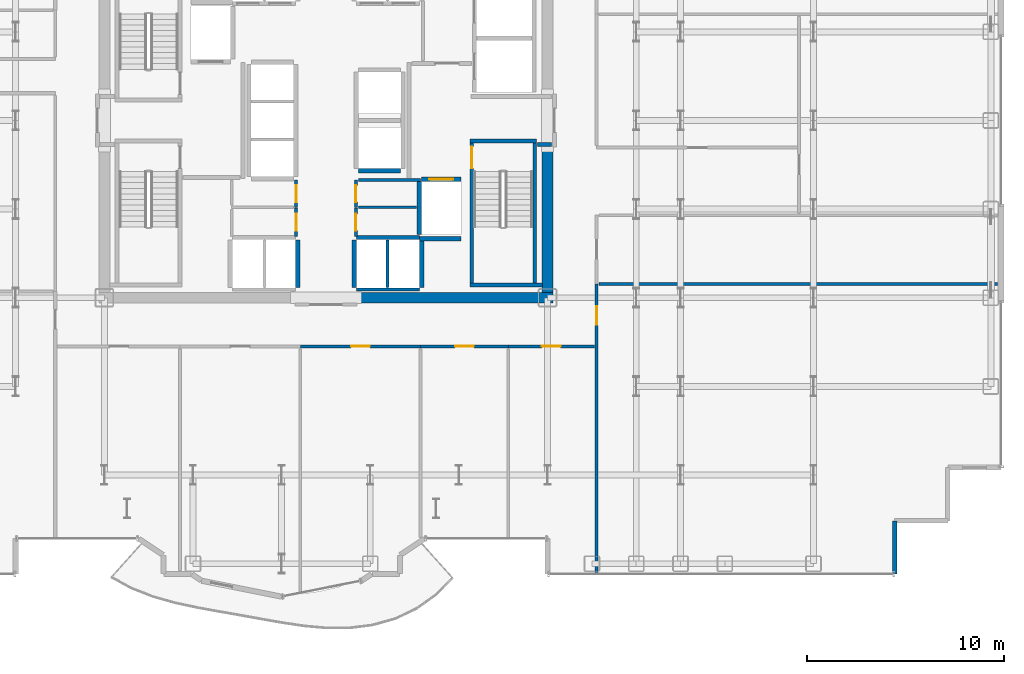
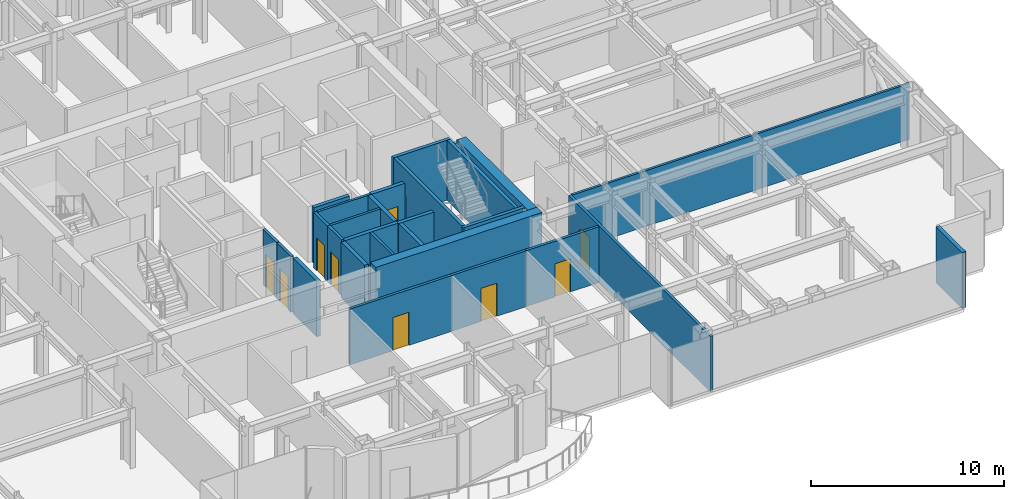
# One storey, part 24 of 29: 29 walls, 10 doors, 10 openings.
"""IFC4 building model written with IfcOpenShell, lengths in metres."""

from ifc_helpers import new_model, si_unit, direction, frame, frame_2d, origin, place, context, subcontext, project, spatial, rectangle, extrude, source, transform, mapped, material, layer, layer_set, type_object, element, fill, save


model = new_model("IFC4")

# Units and contexts
model_context = context("Model", 3, precision=1e-05, world=origin(), true_north=direction((0.0, 1.0)))
body_context = subcontext(model_context, "Body", "Model", "MODEL_VIEW")
ifc_project = project(units=[si_unit("LENGTHUNIT", "METRE"), si_unit("AREAUNIT", "SQUARE_METRE"), si_unit("VOLUMEUNIT", "CUBIC_METRE"), si_unit("PLANEANGLEUNIT", "RADIAN"), si_unit("MASSUNIT", "GRAM", prefix="KILO")], contexts=[model_context])

# Site, building, storey
site_placement = place(None, origin())
site = spatial("IfcSite", under=ifc_project, at=site_placement, CompositionType="ELEMENT")
building_placement = place(site_placement, origin())
building = spatial("IfcBuilding", under=site, at=building_placement, Name="Nefas-Gora Pilgrimage Tower", CompositionType="ELEMENT")
storey_placement = place(building_placement, frame((0.0, 0.0, 125.0)))
storey = spatial("IfcBuildingStorey", under=building, at=storey_placement, Name="L30", CompositionType="ELEMENT", Elevation=125.0)

# Walls
ifc_material_1 = material(Name="Concrete C60/75", Category="concrete")
ifc_layer_1 = layer(ifc_material_1, 0.550048828125)
ifc_layer_set_1 = layer_set([ifc_layer_1], Name="Concrete C60/75")
wall_type_1 = type_object("IfcWallType", Name="SW-CORE-550", PredefinedType="SHEAR", material=ifc_layer_set_1)
shared_shape_1 = source(origin(), body_context, "Body", "SweptSolid", [
    extrude(rectangle(XDim=9.974853515625, YDim=0.550048828125, at=frame_2d((4.9873046875, 0.0))), origin(), (0.0, 0.0, 1.0), 3.800048828125),
])
wall_1_placement = place(storey_placement, frame((1.550048828125, -9.0, 0.0), z_axis=(0.0, 0.0, 1.0), x_axis=(1.0, 0.0, 0.0)))
element("IfcWall", 1, at=wall_1_placement, inside=storey, type_object=wall_type_1, Name="L30 Core Shear Wall S-East", PredefinedType="SHEAR", context=body_context, shape_type="MappedRepresentation", body=[
    mapped(shared_shape_1, transform((0.0, 0.0, 0.0), x_axis=(1.0, 0.0, 0.0), y_axis=(0.0, 1.0, 0.0), z_axis=(0.0, 0.0, 1.0), scale=1.0)),
])
shared_shape_2 = source(origin(), body_context, "Body", "SweptSolid", [
    extrude(rectangle(XDim=7.375, YDim=0.550048828125, at=frame_2d((3.6875, 0.0))), origin(), (0.0, 0.0, 1.0), 3.800048828125),
])
wall_2_placement = place(storey_placement, frame((11.25, -8.72509765625, 0.0), z_axis=(0.0, 0.0, 1.0), x_axis=(0.0, 1.0, 0.0)))
element("IfcWall", 2, at=wall_2_placement, inside=storey, type_object=wall_type_1, Name="L30 Core Shear Wall E-South", PredefinedType="SHEAR", context=body_context, shape_type="MappedRepresentation", body=[
    mapped(shared_shape_2, transform((0.0, 0.0, 0.0), x_axis=(1.0, 0.0, 0.0), y_axis=(0.0, 1.0, 0.0), z_axis=(0.0, 0.0, 1.0), scale=1.0)),
])
ifc_material_2 = material(Name="Precast concrete C45/55", Category="concrete")
ifc_layer_2 = layer(ifc_material_2, 0.239990234375)
ifc_layer_set_2 = layer_set([ifc_layer_2], Name="Precast concrete C45/55")
wall_type_2 = type_object("IfcWallType", Name="EW-SERR-240", PredefinedType="SHEAR", material=ifc_layer_set_2)
shared_shape_3 = source(origin(), body_context, "Body", "SweptSolid", [
    extrude(rectangle(XDim=2.699951171875, YDim=0.239990234375, at=frame_2d((1.35009765625, 0.0))), origin(), (0.0, 0.0, 1.0), 3.550048828125),
])
wall_3_placement = place(storey_placement, frame((28.8701171875, -23.02001953125, 0.0), z_axis=(0.0, 0.0, 1.0), x_axis=(0.0, 1.0, 0.0)))
element("IfcWall", 3, at=wall_3_placement, inside=storey, type_object=wall_type_2, Name="L30 Serrated Corner Shear Pier Wall 6", PredefinedType="SHEAR", context=body_context, shape_type="MappedRepresentation", body=[
    mapped(shared_shape_3, transform((0.0, 0.0, 0.0), x_axis=(1.0, 0.0, 0.0), y_axis=(0.0, 1.0, 0.0), z_axis=(0.0, 0.0, 1.0), scale=1.0)),
])
ifc_material_3 = material(Name="Concrete C45/55", Category="concrete")
ifc_layer_3 = layer(ifc_material_3, 0.199951171875)
ifc_layer_set_3 = layer_set([ifc_layer_3], Name="Concrete C45/55")
wall_type_3 = type_object("IfcWallType", Name="IW-STAIR-200", PredefinedType="SOLIDWALL", material=ifc_layer_set_3)
shared_shape_4 = source(origin(), body_context, "Body", "SweptSolid", [
    extrude(rectangle(XDim=3.39990234375, YDim=0.199951171875, at=frame_2d((1.699951171875, 0.0))), origin(), (0.0, 0.0, 1.0), 3.800048828125),
])
wall_4_placement = place(storey_placement, frame((7.300048828125, -1.050048828125, 0.0), z_axis=(0.0, 0.0, 1.0), x_axis=(1.0, 0.0, 0.0)))
element("IfcWall", 4, at=wall_4_placement, inside=storey, type_object=wall_type_3, Name="L30 Stairwell Shear Wall ST-02-near", PredefinedType="SOLIDWALL", context=body_context, shape_type="MappedRepresentation", body=[
    mapped(shared_shape_4, transform((0.0, 0.0, 0.0), x_axis=(1.0, 0.0, 0.0), y_axis=(0.0, 1.0, 0.0), z_axis=(0.0, 0.0, 1.0), scale=1.0)),
])

# Wall, opening, door
shared_shape_5 = source(origin(), body_context, "Body", "SweptSolid", [
    extrude(rectangle(XDim=7.10009765625, YDim=0.199951171875, at=frame_2d((3.550048828125, 0.0))), origin(), (0.0, 0.0, 1.0), 3.800048828125),
])
wall_5_placement = place(storey_placement, frame((7.39990234375, -1.14990234375, 0.0), z_axis=(0.0, 0.0, 1.0), x_axis=(0.0, -1.0, 0.0)))
wall_5 = element("IfcWall", 5, at=wall_5_placement, inside=storey, type_object=wall_type_3, Name="L30 Stairwell Shear Wall ST-02-left", PredefinedType="SOLIDWALL", context=body_context, shape_type="MappedRepresentation", body=[
    mapped(shared_shape_5, transform((0.0, 0.0, 0.0), x_axis=(1.0, 0.0, 0.0), y_axis=(0.0, 1.0, 0.0), z_axis=(0.0, 0.0, 1.0), scale=1.0)),
])
opening_1_placement = place(wall_5_placement, frame((0.179931640625, 0.0, 0.0)))
opening_1 = element("IfcOpeningElement", 6, at=opening_1_placement, cuts=wall_5, Name="Opening ID-ST1", PredefinedType="OPENING", context=body_context, shape_type="SweptSolid", body=[
    extrude(rectangle(XDim=1.10009765625, YDim=2.14990234375, at=frame_2d((0.550048828125, 1.074951171875))), frame((0.0, 0.10986328125, 0.0), z_axis=(0.0, -1.0, 0.0), x_axis=(1.0, 0.0, 0.0)), (0.0, 0.0, 1.0), 0.219970703125),
])
ifc_material_4 = material(Name="Painted galvanised steel fire stair door", Category="steel")
door_type_1 = type_object("IfcDoorType", Name="DR-INT-STAIR-1100", OperationType="NOTDEFINED", PredefinedType="DOOR", material=ifc_material_4)
shared_shape_6 = source(origin(), body_context, "Body", "SweptSolid", [
    extrude(rectangle(XDim=1.10009765625, YDim=2.14990234375, at=frame_2d((0.550048828125, 1.074951171875))), frame((0.0, 0.02490234375, 0.0), z_axis=(0.0, -1.0, 0.0), x_axis=(1.0, 0.0, 0.0)), (0.0, 0.0, 1.0), 0.050048828125),
])
door_1_placement = place(opening_1_placement, origin())
door_1 = element("IfcDoor", 7, at=door_1_placement, inside=storey, type_object=door_type_1, Name="L30 Protected Exit Stair Door ST-02", OperationType="SINGLE_SWING_LEFT", OverallHeight=2.14990234375, OverallWidth=1.10009765625, PredefinedType="DOOR", context=body_context, shape_type="MappedRepresentation", body=[
    mapped(shared_shape_6, transform((0.0, 0.0, 0.0), x_axis=(1.0, 0.0, 0.0), y_axis=(0.0, 1.0, 0.0), z_axis=(0.0, 0.0, 1.0), scale=1.0)),
])
fill(opening_1, door_1)

# Walls
wall_6_placement = place(storey_placement, frame((10.60009765625, -1.14990234375, 0.0), z_axis=(0.0, 0.0, 1.0), x_axis=(0.0, -1.0, 0.0)))
element("IfcWall", 8, at=wall_6_placement, inside=storey, type_object=wall_type_3, Name="L30 Stairwell Shear Wall ST-02-right", PredefinedType="SOLIDWALL", context=body_context, shape_type="MappedRepresentation", body=[
    mapped(shared_shape_5, transform((0.0, 0.0, 0.0), x_axis=(1.0, 0.0, 0.0), y_axis=(0.0, 1.0, 0.0), z_axis=(0.0, 0.0, 1.0), scale=1.0)),
])
shared_shape_7 = source(origin(), body_context, "Body", "SweptSolid", [
    extrude(rectangle(XDim=3.679931640625, YDim=0.199951171875, at=frame_2d((1.83984375, 0.0))), origin(), (0.0, 0.0, 1.0), 3.800048828125),
])
wall_7_placement = place(storey_placement, frame((7.300048828125, -8.35009765625, 0.0), z_axis=(0.0, 0.0, 1.0), x_axis=(1.0, 0.0, 0.0)))
element("IfcWall", 9, at=wall_7_placement, inside=storey, type_object=wall_type_3, Name="L30 Stairwell Shear Wall ST-02-far", PredefinedType="SOLIDWALL", context=body_context, shape_type="MappedRepresentation", body=[
    mapped(shared_shape_7, transform((0.0, 0.0, 0.0), x_axis=(1.0, 0.0, 0.0), y_axis=(0.0, 1.0, 0.0), z_axis=(0.0, 0.0, 1.0), scale=1.0)),
])

# Wall, opening, door
ifc_material_5 = material(Name="Concrete C40/50", Category="concrete")
ifc_layer_4 = layer(ifc_material_5, 0.219970703125)
ifc_layer_set_4 = layer_set([ifc_layer_4], Name="Concrete C40/50")
wall_type_4 = type_object("IfcWallType", Name="IW-SHAFT-220", PredefinedType="SOLIDWALL", material=ifc_layer_set_4)
shared_shape_8 = source(origin(), body_context, "Body", "SweptSolid", [
    extrude(rectangle(XDim=2.0, YDim=0.219970703125, at=frame_2d((1.0, 0.0))), origin(), (0.0, 0.0, 1.0), 3.534912109375),
])
wall_8_placement = place(storey_placement, frame((6.85009765625, -2.989990234375, 0.0), z_axis=(0.0, 0.0, 1.0), x_axis=(-1.0, 0.0, 0.0)))
wall_8 = element("IfcWall", 10, at=wall_8_placement, inside=storey, type_object=wall_type_4, Name="L30 Hoistway Wall FFL-02-N", PredefinedType="SOLIDWALL", context=body_context, shape_type="MappedRepresentation", body=[
    mapped(shared_shape_8, transform((0.0, 0.0, 0.0), x_axis=(1.0, 0.0, 0.0), y_axis=(0.0, 1.0, 0.0), z_axis=(0.0, 0.0, 1.0), scale=1.0)),
])
opening_2_placement = place(wall_8_placement, frame((0.39990234375, 0.0, 0.0)))
opening_2 = element("IfcOpeningElement", 11, at=opening_2_placement, cuts=wall_8, Name="Opening LD-FF", PredefinedType="OPENING", context=body_context, shape_type="SweptSolid", body=[
    extrude(rectangle(XDim=1.199951171875, YDim=2.199951171875, at=frame_2d((0.60009765625, 1.10009765625))), frame((0.0, 0.119873046875, 0.0), z_axis=(0.0, -1.0, 0.0), x_axis=(1.0, 0.0, 0.0)), (0.0, 0.0, 1.0), 0.239990234375),
])
ifc_material_6 = material(Name="Fire-service sliding lift landing door")
door_type_2 = type_object("IfcDoorType", Name="DR-LIFT-FSAE-1200", OperationType="SLIDING_TO_LEFT", PredefinedType="DOOR", material=ifc_material_6)
shared_shape_9 = source(origin(), body_context, "Body", "SweptSolid", [
    extrude(rectangle(XDim=1.199951171875, YDim=2.199951171875, at=frame_2d((0.60009765625, 1.10009765625))), frame((0.0, 0.02490234375, 0.0), z_axis=(0.0, -1.0, 0.0), x_axis=(1.0, 0.0, 0.0)), (0.0, 0.0, 1.0), 0.050048828125),
])
door_2_placement = place(opening_2_placement, origin())
door_2 = element("IfcDoor", 12, at=door_2_placement, inside=storey, type_object=door_type_2, Name="L30 Sliding Lift Landing Door FFL-02", OperationType="SLIDING_TO_LEFT", OverallHeight=2.199951171875, OverallWidth=1.199951171875, PredefinedType="DOOR", context=body_context, shape_type="MappedRepresentation", body=[
    mapped(shared_shape_9, transform((0.0, 0.0, 0.0), x_axis=(1.0, 0.0, 0.0), y_axis=(0.0, 1.0, 0.0), z_axis=(0.0, 0.0, 1.0), scale=1.0)),
])
fill(opening_2, door_2)

# Walls
shared_shape_10 = source(origin(), body_context, "Body", "SweptSolid", [
    extrude(rectangle(XDim=2.679931640625, YDim=0.219970703125, at=frame_2d((1.33984375, 0.0))), origin(), (0.0, 0.0, 1.0), 3.534912109375),
])
wall_9_placement = place(storey_placement, frame((4.739990234375, -3.110107421875, 0.0), z_axis=(0.0, 0.0, 1.0), x_axis=(0.0, -1.0, 0.0)))
element("IfcWall", 13, at=wall_9_placement, inside=storey, type_object=wall_type_4, Name="L30 Hoistway Wall FFL-02-W", PredefinedType="SOLIDWALL", context=body_context, shape_type="MappedRepresentation", body=[
    mapped(shared_shape_10, transform((0.0, 0.0, 0.0), x_axis=(1.0, 0.0, 0.0), y_axis=(0.0, 1.0, 0.0), z_axis=(0.0, 0.0, 1.0), scale=1.0)),
])
shared_shape_11 = source(origin(), body_context, "Body", "SweptSolid", [
    extrude(rectangle(XDim=3.199951171875, YDim=0.219970703125, at=frame_2d((1.60009765625, 0.0))), origin(), (0.0, 0.0, 1.0), 3.534912109375),
])
wall_10_placement = place(storey_placement, frame((4.75, -5.93994140625, 0.0), z_axis=(0.0, 0.0, 1.0), x_axis=(-1.0, 0.0, 0.0)))
element("IfcWall", 14, at=wall_10_placement, inside=storey, type_object=wall_type_4, Name="L30 Hoistway Wall PL2-E-N", PredefinedType="SOLIDWALL", context=body_context, shape_type="MappedRepresentation", body=[
    mapped(shared_shape_11, transform((0.0, 0.0, 0.0), x_axis=(1.0, 0.0, 0.0), y_axis=(0.0, 1.0, 0.0), z_axis=(0.0, 0.0, 1.0), scale=1.0)),
])
ifc_material_7 = material(Name="Gypsum acoustic stud partition")
ifc_layer_5 = layer(ifc_material_7, 0.159912109375)
ifc_layer_set_5 = layer_set([ifc_layer_5], Name="Gypsum acoustic stud partition")
wall_type_5 = type_object("IfcWallType", Name="IW-CORR-160", PredefinedType="PARTITIONING", material=ifc_layer_set_5)
shared_shape_12 = source(origin(), body_context, "Body", "SweptSolid", [
    extrude(rectangle(XDim=3.199951171875, YDim=0.159912109375, at=frame_2d((1.60009765625, 0.0))), origin(), (0.0, 0.0, 1.0), 2.425048828125),
])
wall_11_placement = place(storey_placement, frame((1.550048828125, -8.580078125, 0.0), z_axis=(0.0, 0.0, 1.0), x_axis=(1.0, 0.0, 0.0)))
element("IfcWall", 15, at=wall_11_placement, inside=storey, type_object=wall_type_5, Name="L30 Hoistway Wall PL2-E-S", PredefinedType="PARTITIONING", context=body_context, shape_type="MappedRepresentation", body=[
    mapped(shared_shape_12, transform((0.0, 0.0, 0.0), x_axis=(1.0, 0.0, 0.0), y_axis=(0.0, 1.0, 0.0), z_axis=(0.0, 0.0, 1.0), scale=1.0)),
])
shared_shape_13 = source(origin(), body_context, "Body", "SweptSolid", [
    extrude(rectangle(XDim=2.429931640625, YDim=0.219970703125, at=frame_2d((1.21484375, 0.0))), origin(), (0.0, 0.0, 1.0), 3.534912109375),
])
for number, where, z_axis, x_axis, name in (
    (16, (-1.43994140625, -8.489990234375, 0.0), (0.0, 0.0, 1.0), (0.0, 1.0, 0.0), "L30 Hoistway Wall PL2-W-E"),
    (17, (1.43994140625, -6.06005859375, 0.0), (0.0, 0.0, 1.0), (0.0, -1.0, 0.0), "L30 Hoistway Wall PL2-E-W"),
    (18, (4.860107421875, -8.489990234375, 0.0), (0.0, 0.0, 1.0), (0.0, 1.0, 0.0), "L30 Hoistway Wall PL2-E-E"),
):
    element("IfcWall", number, at=place(storey_placement, frame(where, z_axis=z_axis, x_axis=x_axis)), inside=storey, type_object=wall_type_4, Name=name, PredefinedType="SOLIDWALL", context=body_context, shape_type="MappedRepresentation", body=[
        mapped(shared_shape_13, transform((0.0, 0.0, 0.0), x_axis=(1.0, 0.0, 0.0), y_axis=(0.0, 1.0, 0.0), z_axis=(0.0, 0.0, 1.0), scale=1.0)),
    ])
ifc_material_8 = material(Name="Gypsum twin-stud partition")
ifc_layer_6 = layer(ifc_material_8, 0.139892578125)
ifc_layer_set_6 = layer_set([ifc_layer_6], Name="Gypsum twin-stud partition")
wall_type_6 = type_object("IfcWallType", Name="IW-UNIT-140", PredefinedType="PARTITIONING", material=ifc_layer_set_6)
shared_shape_14 = source(origin(), body_context, "Body", "SweptSolid", [
    extrude(rectangle(XDim=2.429931640625, YDim=0.139892578125, at=frame_2d((1.21484375, 0.0))), origin(), (0.0, 0.0, 1.0), 3.534912109375),
])
wall_12_placement = place(storey_placement, frame((3.125, -8.489990234375, 0.0), z_axis=(0.0, 0.0, 1.0), x_axis=(0.0, 1.0, 0.0)))
element("IfcWall", 19, at=wall_12_placement, inside=storey, type_object=wall_type_6, Name="L30 Hoistway Wall PL2-E-DIV", PredefinedType="PARTITIONING", context=body_context, shape_type="MappedRepresentation", body=[
    mapped(shared_shape_14, transform((0.0, 0.0, 0.0), x_axis=(1.0, 0.0, 0.0), y_axis=(0.0, 1.0, 0.0), z_axis=(0.0, 0.0, 1.0), scale=1.0)),
])
shared_shape_15 = source(origin(), body_context, "Body", "SweptSolid", [
    extrude(rectangle(XDim=2.130126953125, YDim=0.219970703125, at=frame_2d((1.06494140625, 0.0))), origin(), (0.0, 0.0, 1.0), 3.534912109375),
])
wall_13_placement = place(storey_placement, frame((1.659912109375, -2.56005859375, 0.0), z_axis=(0.0, 0.0, 1.0), x_axis=(1.0, 0.0, 0.0)))
element("IfcWall", 20, at=wall_13_placement, inside=storey, type_object=wall_type_4, Name="L30 Hoistway Wall OBS-01-S", PredefinedType="SOLIDWALL", context=body_context, shape_type="MappedRepresentation", body=[
    mapped(shared_shape_15, transform((0.0, 0.0, 0.0), x_axis=(1.0, 0.0, 0.0), y_axis=(0.0, 1.0, 0.0), z_axis=(0.0, 0.0, 1.0), scale=1.0)),
])
shared_shape_16 = source(origin(), body_context, "Body", "SweptSolid", [
    extrude(rectangle(XDim=2.09521484375, YDim=0.219970703125, at=frame_2d((1.047607421875, 0.0))), origin(), (0.0, 0.0, 1.0), 3.534912109375),
])
wall_14_placement = place(storey_placement, frame((4.7548828125, -6.0, 0.0), z_axis=(0.0, 0.0, 1.0), x_axis=(1.0, 0.0, 0.0)))
element("IfcWall", 21, at=wall_14_placement, inside=storey, type_object=wall_type_4, Name="L30 Riser Shaft Wall 2", PredefinedType="SOLIDWALL", context=body_context, shape_type="MappedRepresentation", body=[
    mapped(shared_shape_16, transform((0.0, 0.0, 0.0), x_axis=(1.0, 0.0, 0.0), y_axis=(0.0, 1.0, 0.0), z_axis=(0.0, 0.0, 1.0), scale=1.0)),
])
ifc_material_9 = material(Name="Gypsum fire-rated shaftwall")
ifc_layer_7 = layer(ifc_material_9, 0.199951171875)
ifc_layer_set_7 = layer_set([ifc_layer_7], Name="Gypsum fire-rated shaftwall")
wall_type_7 = type_object("IfcWallType", Name="IW-FFLOB-200", PredefinedType="PARTITIONING", material=ifc_layer_set_7)
shared_shape_17 = source(origin(), body_context, "Body", "SweptSolid", [
    extrude(rectangle(XDim=0.719970703125, YDim=0.199951171875, at=frame_2d((0.35986328125, 0.0))), origin(), (0.0, 0.0, 1.0), 3.534912109375),
])
wall_15_placement = place(storey_placement, frame((10.739990234375, -1.219970703125, 0.0), z_axis=(0.0, 0.0, 1.0), x_axis=(1.0, 0.0, 0.0)))
element("IfcWall", 22, at=wall_15_placement, inside=storey, type_object=wall_type_7, Name="L30 FF Lobby East Throat S Wall 12", PredefinedType="PARTITIONING", context=body_context, shape_type="MappedRepresentation", body=[
    mapped(shared_shape_17, transform((0.0, 0.0, 0.0), x_axis=(1.0, 0.0, 0.0), y_axis=(0.0, 1.0, 0.0), z_axis=(0.0, 0.0, 1.0), scale=1.0)),
])
shared_shape_18 = source(origin(), body_context, "Body", "SweptSolid", [
    extrude(rectangle(XDim=2.9501953125, YDim=0.139892578125, at=frame_2d((1.47509765625, 0.0))), origin(), (0.0, 0.0, 1.0), 3.534912109375),
])
wall_16_placement = place(storey_placement, frame((1.639892578125, -4.409912109375, 0.0), z_axis=(0.0, 0.0, 1.0), x_axis=(1.0, 0.0, 0.0)))
element("IfcWall", 23, at=wall_16_placement, inside=storey, type_object=wall_type_6, Name="L30 Clean Blanket and Robe Store Partition Wall 23", PredefinedType="PARTITIONING", context=body_context, shape_type="MappedRepresentation", body=[
    mapped(shared_shape_18, transform((0.0, 0.0, 0.0), x_axis=(1.0, 0.0, 0.0), y_axis=(0.0, 1.0, 0.0), z_axis=(0.0, 0.0, 1.0), scale=1.0)),
])
shared_shape_19 = source(origin(), body_context, "Body", "SweptSolid", [
    extrude(rectangle(XDim=20.219970703125, YDim=0.139892578125, at=frame_2d((10.10986328125, 0.0))), origin(), (0.0, 0.0, 1.0), 3.534912109375),
])
wall_17_placement = place(storey_placement, frame((13.860107421875, -8.304931640625, 0.0), z_axis=(0.0, 0.0, 1.0), x_axis=(1.0, 0.0, 0.0)))
element("IfcWall", 24, at=wall_17_placement, inside=storey, type_object=wall_type_6, Name="L30 Pilgrim Tea and Beverage Pantry Partition Wall 38", PredefinedType="PARTITIONING", context=body_context, shape_type="MappedRepresentation", body=[
    mapped(shared_shape_19, transform((0.0, 0.0, 0.0), x_axis=(1.0, 0.0, 0.0), y_axis=(0.0, 1.0, 0.0), z_axis=(0.0, 0.0, 1.0), scale=1.0)),
])

# Wall, opening, door
shared_shape_20 = source(origin(), body_context, "Body", "SweptSolid", [
    extrude(rectangle(XDim=1.409912109375, YDim=0.159912109375, at=frame_2d((0.705078125, 0.0))), origin(), (0.0, 0.0, 1.0), 3.534912109375),
])
wall_18_placement = place(storey_placement, frame((-1.52001953125, -4.419921875, 0.0), z_axis=(0.0, 0.0, 1.0), x_axis=(0.0, 1.0, 0.0)))
wall_18 = element("IfcWall", 25, at=wall_18_placement, inside=storey, type_object=wall_type_5, Name="L30 Housekeeping and Linen Store Wall 16", PredefinedType="PARTITIONING", context=body_context, shape_type="MappedRepresentation", body=[
    mapped(shared_shape_20, transform((0.0, 0.0, 0.0), x_axis=(1.0, 0.0, 0.0), y_axis=(0.0, 1.0, 0.0), z_axis=(0.0, 0.0, 1.0), scale=1.0)),
])
opening_3_placement = place(wall_18_placement, frame((0.280029296875, 0.0, 0.0)))
opening_3 = element("IfcOpeningElement", 26, at=opening_3_placement, cuts=wall_18, Name="Opening ID-BT1", PredefinedType="OPENING", context=body_context, shape_type="SweptSolid", body=[
    extrude(rectangle(XDim=0.85009765625, YDim=2.10009765625, at=frame_2d((0.425048828125, 1.050048828125))), frame((0.0, 0.08984375, 0.0), z_axis=(0.0, -1.0, 0.0), x_axis=(1.0, 0.0, 0.0)), (0.0, 0.0, 1.0), 0.179931640625),
])
ifc_material_10 = material(Name="Moisture-resistant fire-rated timber door", Category="wood")
door_type_3 = type_object("IfcDoorType", Name="DR-INT-BATH-850", OperationType="NOTDEFINED", PredefinedType="DOOR", material=ifc_material_10)
shared_shape_21 = source(origin(), body_context, "Body", "SweptSolid", [
    extrude(rectangle(XDim=0.85009765625, YDim=2.10009765625, at=frame_2d((0.425048828125, 1.050048828125))), frame((0.0, 0.02490234375, 0.0), z_axis=(0.0, -1.0, 0.0), x_axis=(1.0, 0.0, 0.0)), (0.0, 0.0, 1.0), 0.050048828125),
])
door_3_placement = place(opening_3_placement, origin())
door_3 = element("IfcDoor", 27, at=door_3_placement, inside=storey, type_object=door_type_3, Name="L30 Housekeeping and Linen Store Door 6", OperationType="SINGLE_SWING_LEFT", OverallHeight=2.10009765625, OverallWidth=0.85009765625, PredefinedType="DOOR", context=body_context, shape_type="MappedRepresentation", body=[
    mapped(shared_shape_21, transform((0.0, 0.0, 0.0), x_axis=(1.0, 0.0, 0.0), y_axis=(0.0, 1.0, 0.0), z_axis=(0.0, 0.0, 1.0), scale=1.0)),
])
fill(opening_3, door_3)

wall_19_placement = place(storey_placement, frame((1.52001953125, -4.419921875, 0.0), z_axis=(0.0, 0.0, 1.0), x_axis=(0.0, 1.0, 0.0)))
wall_19 = element("IfcWall", 28, at=wall_19_placement, inside=storey, type_object=wall_type_5, Name="L30 Clean Blanket and Robe Store Wall 21", PredefinedType="PARTITIONING", context=body_context, shape_type="MappedRepresentation", body=[
    mapped(shared_shape_20, transform((0.0, 0.0, 0.0), x_axis=(1.0, 0.0, 0.0), y_axis=(0.0, 1.0, 0.0), z_axis=(0.0, 0.0, 1.0), scale=1.0)),
])
opening_4_placement = place(wall_19_placement, frame((0.280029296875, 0.0, 0.0)))
opening_4 = element("IfcOpeningElement", 29, at=opening_4_placement, cuts=wall_19, Name="Opening ID-BT1", PredefinedType="OPENING", context=body_context, shape_type="SweptSolid", body=[
    extrude(rectangle(XDim=0.85009765625, YDim=2.10009765625, at=frame_2d((0.425048828125, 1.050048828125))), frame((0.0, 0.08984375, 0.0), z_axis=(0.0, -1.0, 0.0), x_axis=(1.0, 0.0, 0.0)), (0.0, 0.0, 1.0), 0.179931640625),
])
door_4_placement = place(opening_4_placement, origin())
door_4 = element("IfcDoor", 30, at=door_4_placement, inside=storey, type_object=door_type_3, Name="L30 Clean Blanket and Robe Store Door 8", OperationType="SINGLE_SWING_LEFT", OverallHeight=2.10009765625, OverallWidth=0.85009765625, PredefinedType="DOOR", context=body_context, shape_type="MappedRepresentation", body=[
    mapped(shared_shape_21, transform((0.0, 0.0, 0.0), x_axis=(1.0, 0.0, 0.0), y_axis=(0.0, 1.0, 0.0), z_axis=(0.0, 0.0, 1.0), scale=1.0)),
])
fill(opening_4, door_4)

# Wall
shared_shape_22 = source(origin(), body_context, "Body", "SweptSolid", [
    extrude(rectangle(XDim=3.150146484375, YDim=0.139892578125, at=frame_2d((1.5751953125, 0.0))), origin(), (0.0, 0.0, 1.0), 3.534912109375),
])
wall_20_placement = place(storey_placement, frame((1.639892578125, -3.02001953125, 0.0), z_axis=(0.0, 0.0, 1.0), x_axis=(1.0, 0.0, 0.0)))
element("IfcWall", 31, at=wall_20_placement, inside=storey, type_object=wall_type_6, Name="L30 Clean Blanket and Robe Store Partition Wall 22", PredefinedType="PARTITIONING", context=body_context, shape_type="MappedRepresentation", body=[
    mapped(shared_shape_22, transform((0.0, 0.0, 0.0), x_axis=(1.0, 0.0, 0.0), y_axis=(0.0, 1.0, 0.0), z_axis=(0.0, 0.0, 1.0), scale=1.0)),
])

# Wall, opening, door
shared_shape_23 = source(origin(), body_context, "Body", "SweptSolid", [
    extrude(rectangle(XDim=1.449951171875, YDim=0.159912109375, at=frame_2d((0.72509765625, 0.0))), origin(), (0.0, 0.0, 1.0), 3.534912109375),
])
wall_21_placement = place(storey_placement, frame((-1.52001953125, -5.889892578125, 0.0), z_axis=(0.0, 0.0, 1.0), x_axis=(0.0, 1.0, 0.0)))
wall_21 = element("IfcWall", 32, at=wall_21_placement, inside=storey, type_object=wall_type_5, Name="L30 Guest Self-Service Laundry Room Wall 19", PredefinedType="PARTITIONING", context=body_context, shape_type="MappedRepresentation", body=[
    mapped(shared_shape_23, transform((0.0, 0.0, 0.0), x_axis=(1.0, 0.0, 0.0), y_axis=(0.0, 1.0, 0.0), z_axis=(0.0, 0.0, 1.0), scale=1.0)),
])
opening_5_placement = place(wall_21_placement, frame((0.300048828125, 0.0, 0.0)))
opening_5 = element("IfcOpeningElement", 33, at=opening_5_placement, cuts=wall_21, Name="Opening ID-BT1", PredefinedType="OPENING", context=body_context, shape_type="SweptSolid", body=[
    extrude(rectangle(XDim=0.85009765625, YDim=2.10009765625, at=frame_2d((0.425048828125, 1.050048828125))), frame((0.0, 0.08984375, 0.0), z_axis=(0.0, -1.0, 0.0), x_axis=(1.0, 0.0, 0.0)), (0.0, 0.0, 1.0), 0.179931640625),
])
door_5_placement = place(opening_5_placement, origin())
door_5 = element("IfcDoor", 34, at=door_5_placement, inside=storey, type_object=door_type_3, Name="L30 Guest Self-Service Laundry Room Door 7", OperationType="SINGLE_SWING_RIGHT", OverallHeight=2.10009765625, OverallWidth=0.85009765625, PredefinedType="DOOR", context=body_context, shape_type="MappedRepresentation", body=[
    mapped(shared_shape_21, transform((0.0, 0.0, 0.0), x_axis=(1.0, 0.0, 0.0), y_axis=(0.0, 1.0, 0.0), z_axis=(0.0, 0.0, 1.0), scale=1.0)),
])
fill(opening_5, door_5)

wall_22_placement = place(storey_placement, frame((1.52001953125, -5.889892578125, 0.0), z_axis=(0.0, 0.0, 1.0), x_axis=(0.0, 1.0, 0.0)))
wall_22 = element("IfcWall", 35, at=wall_22_placement, inside=storey, type_object=wall_type_5, Name="L30 Core Amenity Supply Store Wall 24", PredefinedType="PARTITIONING", context=body_context, shape_type="MappedRepresentation", body=[
    mapped(shared_shape_23, transform((0.0, 0.0, 0.0), x_axis=(1.0, 0.0, 0.0), y_axis=(0.0, 1.0, 0.0), z_axis=(0.0, 0.0, 1.0), scale=1.0)),
])
opening_6_placement = place(wall_22_placement, frame((0.300048828125, 0.0, 0.0)))
opening_6 = element("IfcOpeningElement", 36, at=opening_6_placement, cuts=wall_22, Name="Opening ID-BT1", PredefinedType="OPENING", context=body_context, shape_type="SweptSolid", body=[
    extrude(rectangle(XDim=0.85009765625, YDim=2.10009765625, at=frame_2d((0.425048828125, 1.050048828125))), frame((0.0, 0.08984375, 0.0), z_axis=(0.0, -1.0, 0.0), x_axis=(1.0, 0.0, 0.0)), (0.0, 0.0, 1.0), 0.179931640625),
])
door_6_placement = place(opening_6_placement, origin())
door_6 = element("IfcDoor", 37, at=door_6_placement, inside=storey, type_object=door_type_3, Name="L30 Core Amenity Supply Store Door 9", OperationType="SINGLE_SWING_RIGHT", OverallHeight=2.10009765625, OverallWidth=0.85009765625, PredefinedType="DOOR", context=body_context, shape_type="MappedRepresentation", body=[
    mapped(shared_shape_21, transform((0.0, 0.0, 0.0), x_axis=(1.0, 0.0, 0.0), y_axis=(0.0, 1.0, 0.0), z_axis=(0.0, 0.0, 1.0), scale=1.0)),
])
fill(opening_6, door_6)

shared_shape_24 = source(origin(), body_context, "Body", "SweptSolid", [
    extrude(rectangle(XDim=14.7451171875, YDim=0.159912109375, at=frame_2d((7.37255859375, 0.0))), origin(), (0.0, 0.0, 1.0), 3.534912109375),
])
wall_23_placement = place(storey_placement, frame((13.739990234375, -23.0400390625, 0.0), z_axis=(0.0, 0.0, 1.0), x_axis=(0.0, 1.0, 0.0)))
wall_23 = element("IfcWall", 38, at=wall_23_placement, inside=storey, type_object=wall_type_5, Name="L30 Pilgrim Tea and Beverage Pantry Partition Wall 37", PredefinedType="PARTITIONING", context=body_context, shape_type="MappedRepresentation", body=[
    mapped(shared_shape_24, transform((0.0, 0.0, 0.0), x_axis=(1.0, 0.0, 0.0), y_axis=(0.0, 1.0, 0.0), z_axis=(0.0, 0.0, 1.0), scale=1.0)),
])
opening_7_placement = place(wall_23_placement, frame((12.66259765625, 0.0, 0.0)))
opening_7 = element("IfcOpeningElement", 39, at=opening_7_placement, cuts=wall_23, Name="Opening ID-GR1", PredefinedType="OPENING", context=body_context, shape_type="SweptSolid", body=[
    extrude(rectangle(XDim=0.949951171875, YDim=2.10009765625, at=frame_2d((0.47509765625, 1.050048828125))), frame((0.0, 0.08984375, 0.0), z_axis=(0.0, -1.0, 0.0), x_axis=(1.0, 0.0, 0.0)), (0.0, 0.0, 1.0), 0.179931640625),
])
ifc_material_11 = material(Name="Solid core oak fire-rated guest entrance door")
door_type_4 = type_object("IfcDoorType", Name="DR-INT-GUEST-950", OperationType="NOTDEFINED", PredefinedType="DOOR", material=ifc_material_11)
shared_shape_25 = source(origin(), body_context, "Body", "SweptSolid", [
    extrude(rectangle(XDim=0.949951171875, YDim=2.10009765625, at=frame_2d((0.47509765625, 1.050048828125))), frame((0.0, 0.02490234375, 0.0), z_axis=(0.0, -1.0, 0.0), x_axis=(1.0, 0.0, 0.0)), (0.0, 0.0, 1.0), 0.050048828125),
])
door_7_placement = place(opening_7_placement, origin())
door_7 = element("IfcDoor", 40, at=door_7_placement, inside=storey, type_object=door_type_4, Name="L30 Pilgrim Tea and Beverage Pantry Door 14", OperationType="SINGLE_SWING_LEFT", OverallHeight=2.10009765625, OverallWidth=0.949951171875, PredefinedType="DOOR", context=body_context, shape_type="MappedRepresentation", body=[
    mapped(shared_shape_25, transform((0.0, 0.0, 0.0), x_axis=(1.0, 0.0, 0.0), y_axis=(0.0, 1.0, 0.0), z_axis=(0.0, 0.0, 1.0), scale=1.0)),
])
fill(opening_7, door_7)

shared_shape_26 = source(origin(), body_context, "Body", "SweptSolid", [
    extrude(rectangle(XDim=6.10498046875, YDim=0.159912109375, at=frame_2d((3.052490234375, 0.0))), origin(), (0.0, 0.0, 1.0), 3.534912109375),
])
wall_24_placement = place(storey_placement, frame((-1.300048828125, -11.469970703125, 0.0), z_axis=(0.0, 0.0, 1.0), x_axis=(1.0, 0.0, 0.0)))
wall_24 = element("IfcWall", 41, at=wall_24_placement, inside=storey, type_object=wall_type_5, Name="L30 Pilgrim Contemplative Lounge Partition Wall 61", PredefinedType="PARTITIONING", context=body_context, shape_type="MappedRepresentation", body=[
    mapped(shared_shape_26, transform((0.0, 0.0, 0.0), x_axis=(1.0, 0.0, 0.0), y_axis=(0.0, 1.0, 0.0), z_axis=(0.0, 0.0, 1.0), scale=1.0)),
])
opening_8_placement = place(wall_24_placement, frame((2.577392578125, 0.0, 0.0)))
opening_8 = element("IfcOpeningElement", 42, at=opening_8_placement, cuts=wall_24, Name="Opening ID-GR1", PredefinedType="OPENING", context=body_context, shape_type="SweptSolid", body=[
    extrude(rectangle(XDim=0.949951171875, YDim=2.10009765625, at=frame_2d((0.47509765625, 1.050048828125))), frame((0.0, 0.08984375, 0.0), z_axis=(0.0, -1.0, 0.0), x_axis=(1.0, 0.0, 0.0)), (0.0, 0.0, 1.0), 0.179931640625),
])
door_8_placement = place(opening_8_placement, origin())
door_8 = element("IfcDoor", 43, at=door_8_placement, inside=storey, type_object=door_type_4, Name="L30 Pilgrim Contemplative Lounge Door 27", OperationType="SINGLE_SWING_RIGHT", OverallHeight=2.10009765625, OverallWidth=0.949951171875, PredefinedType="DOOR", context=body_context, shape_type="MappedRepresentation", body=[
    mapped(shared_shape_25, transform((0.0, 0.0, 0.0), x_axis=(1.0, 0.0, 0.0), y_axis=(0.0, 1.0, 0.0), z_axis=(0.0, 0.0, 1.0), scale=1.0)),
])
fill(opening_8, door_8)

shared_shape_27 = source(origin(), body_context, "Body", "SweptSolid", [
    extrude(rectangle(XDim=4.465087890625, YDim=0.159912109375, at=frame_2d((2.232421875, 0.0))), origin(), (0.0, 0.0, 1.0), 3.534912109375),
])
wall_25_placement = place(storey_placement, frame((4.794921875, -11.469970703125, 0.0), z_axis=(0.0, 0.0, 1.0), x_axis=(1.0, 0.0, 0.0)))
wall_25 = element("IfcWall", 44, at=wall_25_placement, inside=storey, type_object=wall_type_5, Name="L30 Pilgrim Contemplative Lounge Partition Wall 63", PredefinedType="PARTITIONING", context=body_context, shape_type="MappedRepresentation", body=[
    mapped(shared_shape_27, transform((0.0, 0.0, 0.0), x_axis=(1.0, 0.0, 0.0), y_axis=(0.0, 1.0, 0.0), z_axis=(0.0, 0.0, 1.0), scale=1.0)),
])
opening_9_placement = place(wall_25_placement, frame((1.757568359375, 0.0, 0.0)))
opening_9 = element("IfcOpeningElement", 45, at=opening_9_placement, cuts=wall_25, Name="Opening ID-GR1", PredefinedType="OPENING", context=body_context, shape_type="SweptSolid", body=[
    extrude(rectangle(XDim=0.949951171875, YDim=2.10009765625, at=frame_2d((0.47509765625, 1.050048828125))), frame((0.0, 0.08984375, 0.0), z_axis=(0.0, -1.0, 0.0), x_axis=(1.0, 0.0, 0.0)), (0.0, 0.0, 1.0), 0.179931640625),
])
door_9_placement = place(opening_9_placement, origin())
door_9 = element("IfcDoor", 46, at=door_9_placement, inside=storey, type_object=door_type_4, Name="L30 Pilgrim Contemplative Lounge Door 28", OperationType="SINGLE_SWING_LEFT", OverallHeight=2.10009765625, OverallWidth=0.949951171875, PredefinedType="DOOR", context=body_context, shape_type="MappedRepresentation", body=[
    mapped(shared_shape_25, transform((0.0, 0.0, 0.0), x_axis=(1.0, 0.0, 0.0), y_axis=(0.0, 1.0, 0.0), z_axis=(0.0, 0.0, 1.0), scale=1.0)),
])
fill(opening_9, door_9)

shared_shape_28 = source(origin(), body_context, "Body", "SweptSolid", [
    extrude(rectangle(XDim=4.360107421875, YDim=0.159912109375, at=frame_2d((2.18017578125, 0.0))), origin(), (0.0, 0.0, 1.0), 3.534912109375),
])
wall_26_placement = place(storey_placement, frame((9.260009765625, -11.469970703125, 0.0), z_axis=(0.0, 0.0, 1.0), x_axis=(1.0, 0.0, 0.0)))
wall_26 = element("IfcWall", 47, at=wall_26_placement, inside=storey, type_object=wall_type_5, Name="L30 Pilgrim Contemplative Lounge Partition Wall 65", PredefinedType="PARTITIONING", context=body_context, shape_type="MappedRepresentation", body=[
    mapped(shared_shape_28, transform((0.0, 0.0, 0.0), x_axis=(1.0, 0.0, 0.0), y_axis=(0.0, 1.0, 0.0), z_axis=(0.0, 0.0, 1.0), scale=1.0)),
])
opening_10_placement = place(wall_26_placement, frame((1.705078125, 0.0, 0.0)))
opening_10 = element("IfcOpeningElement", 48, at=opening_10_placement, cuts=wall_26, Name="Opening ID-GR1", PredefinedType="OPENING", context=body_context, shape_type="SweptSolid", body=[
    extrude(rectangle(XDim=0.949951171875, YDim=2.10009765625, at=frame_2d((0.47509765625, 1.050048828125))), frame((0.0, 0.08984375, 0.0), z_axis=(0.0, -1.0, 0.0), x_axis=(1.0, 0.0, 0.0)), (0.0, 0.0, 1.0), 0.179931640625),
])
door_10_placement = place(opening_10_placement, origin())
door_10 = element("IfcDoor", 49, at=door_10_placement, inside=storey, type_object=door_type_4, Name="L30 Pilgrim Contemplative Lounge Door 29", OperationType="SINGLE_SWING_RIGHT", OverallHeight=2.10009765625, OverallWidth=0.949951171875, PredefinedType="DOOR", context=body_context, shape_type="MappedRepresentation", body=[
    mapped(shared_shape_25, transform((0.0, 0.0, 0.0), x_axis=(1.0, 0.0, 0.0), y_axis=(0.0, 1.0, 0.0), z_axis=(0.0, 0.0, 1.0), scale=1.0)),
])
fill(opening_10, door_10)

save(model, "model.ifc")
